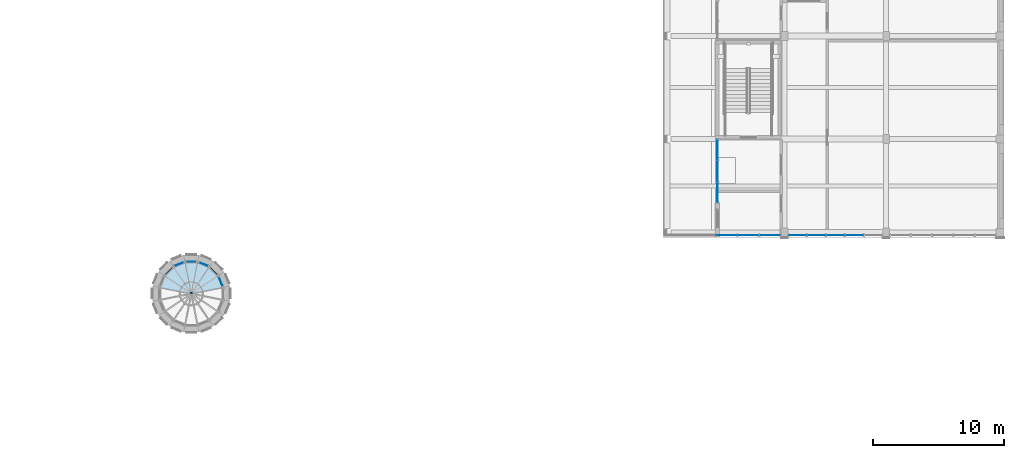
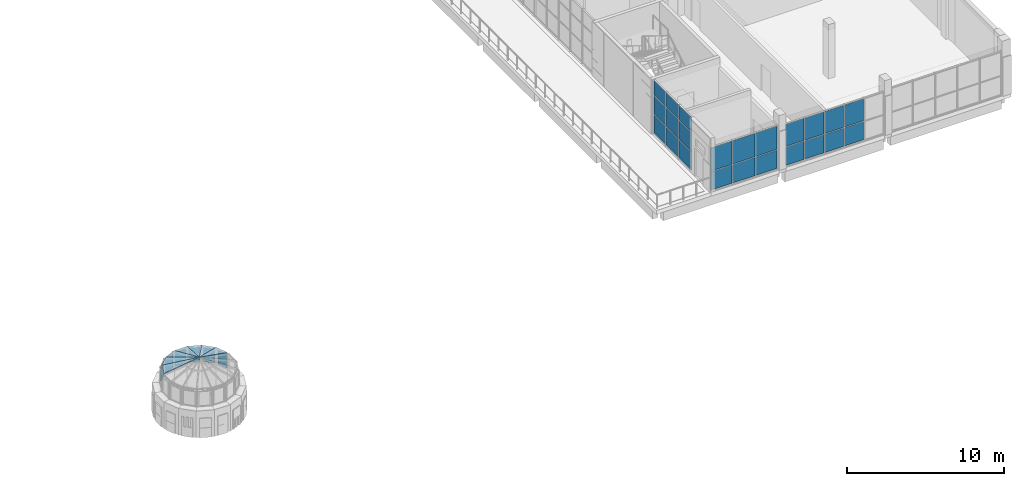
# One storey, part 20 of 36: 29 plates, 7 slabs, 9 elements without a shape of their own.
"""IFC4 building model written with IfcOpenShell, lengths in metres."""

from ifc_helpers import new_model, si_unit, direction, frame, origin, origin_2d, place, context, subcontext, project, spatial, polyline, rectangle, outline, extrude, material, layer, layer_set, type_object, element, aggregate, save


model = new_model("IFC4")

# Units and contexts
model_context = context("Model", 3, precision=1e-05, world=origin(), true_north=direction((0.0, 1.0)))
body_context = subcontext(model_context, "Body", "Model", "MODEL_VIEW")
ifc_project = project(units=[si_unit("LENGTHUNIT", "METRE"), si_unit("AREAUNIT", "SQUARE_METRE"), si_unit("VOLUMEUNIT", "CUBIC_METRE"), si_unit("PLANEANGLEUNIT", "RADIAN"), si_unit("MASSUNIT", "GRAM", prefix="KILO")], contexts=[model_context])

# Site, building, storey
site_placement = place(None, origin())
site = spatial("IfcSite", under=ifc_project, at=site_placement, CompositionType="ELEMENT")
building_placement = place(site_placement, origin())
building = spatial("IfcBuilding", under=site, at=building_placement, Name="Sun Court Science Centre", CompositionType="ELEMENT")
storey_placement = place(building_placement, frame((0.0, 0.0, 24.75)))
storey = spatial("IfcBuildingStorey", under=building, at=storey_placement, Name="L05", CompositionType="ELEMENT", Elevation=24.75)

# Curtain wall, plate
ifc_material_1 = material(Name="Aluminium EN AW-6063 T6", Category="aluminium")
curtain_wall_type_1 = type_object("IfcCurtainWallType", Name="Lantern clerestory curtain wall 1500", PredefinedType="NOTDEFINED", material=ifc_material_1)
curtain_wall_1_placement = place(storey_placement, origin())
curtain_wall_1 = element("IfcCurtainWall", 1, at=curtain_wall_1_placement, inside=storey, type_object=curtain_wall_type_1, Name="Curtain wall V2 C4 clerestory L05 01", PredefinedType="NOTDEFINED")
ifc_material_2 = material(Name="Insulated glass", Category="glass")
ifc_layer_1 = layer(ifc_material_2, 0.031982421875)
ifc_layer_set_1 = layer_set([ifc_layer_1], Name="Insulated glass")
plate_type_1 = type_object("IfcPlateType", Name="Foyer insulated glazing panel 8-16-8", PredefinedType="CURTAIN_PANEL", material=ifc_layer_set_1)
plate_1_placement = place(storey_placement, frame((44.24560546875, 25.130126953125, 1.800048828125), z_axis=(0.0, 0.0, 1.0), x_axis=(0.382683432365, -0.923879532511, 0.0)))
plate_1 = element("IfcPlate", 2, at=plate_1_placement, type_object=plate_type_1, Name="Smoke vent opening light CW4-49 panel 1", PredefinedType="CURTAIN_PANEL", context=body_context, shape_type="SweptSolid", body=[
    extrude(rectangle(XDim=0.752685546875, YDim=0.031982421875, at=origin_2d()), origin(), (0.0, 0.0, 1.0), 1.10009765625),
])
aggregate(curtain_wall_1, [plate_1])

curtain_wall_2_placement = place(storey_placement, origin())
curtain_wall_2 = element("IfcCurtainWall", 3, at=curtain_wall_2_placement, inside=storey, type_object=curtain_wall_type_1, Name="Curtain wall V2 C4 clerestory L05 02", PredefinedType="NOTDEFINED")
plate_2_placement = place(storey_placement, frame((43.71875, 25.918701171875, 1.800048828125), z_axis=(0.0, 0.0, 1.0), x_axis=(0.707106781187, -0.707106781187, 0.0)))
plate_2 = element("IfcPlate", 4, at=plate_2_placement, type_object=plate_type_1, Name="CW4-50 panel 1.1", PredefinedType="CURTAIN_PANEL", context=body_context, shape_type="SweptSolid", body=[
    extrude(rectangle(XDim=0.752685546875, YDim=0.031982421875, at=origin_2d()), origin(), (0.0, 0.0, 1.0), 1.10009765625),
])
aggregate(curtain_wall_2, [plate_2])

curtain_wall_3_placement = place(storey_placement, origin())
curtain_wall_3 = element("IfcCurtainWall", 5, at=curtain_wall_3_placement, inside=storey, type_object=curtain_wall_type_1, Name="Curtain wall V2 C4 clerestory L05 03", PredefinedType="NOTDEFINED")
plate_3_placement = place(storey_placement, frame((42.93017578125, 26.445556640625, 1.800048828125), z_axis=(0.0, 0.0, 1.0), x_axis=(0.923879532511, -0.382683432365, 0.0)))
plate_3 = element("IfcPlate", 6, at=plate_3_placement, type_object=plate_type_1, Name="Smoke vent opening light CW4-51 panel 1", PredefinedType="CURTAIN_PANEL", context=body_context, shape_type="SweptSolid", body=[
    extrude(rectangle(XDim=0.752685546875, YDim=0.031982421875, at=origin_2d()), origin(), (0.0, 0.0, 1.0), 1.10009765625),
])
aggregate(curtain_wall_3, [plate_3])

curtain_wall_4_placement = place(storey_placement, origin())
curtain_wall_4 = element("IfcCurtainWall", 7, at=curtain_wall_4_placement, inside=storey, type_object=curtain_wall_type_1, Name="Curtain wall V2 C4 clerestory L05 04", PredefinedType="NOTDEFINED")
plate_4_placement = place(storey_placement, frame((42.0, 26.630615234375, 1.800048828125), z_axis=(0.0, 0.0, 1.0), x_axis=(1.0, 0.0, 0.0)))
plate_4 = element("IfcPlate", 8, at=plate_4_placement, type_object=plate_type_1, Name="CW4-52 panel 1.1", PredefinedType="CURTAIN_PANEL", context=body_context, shape_type="SweptSolid", body=[
    extrude(rectangle(XDim=0.752685546875, YDim=0.031982421875, at=origin_2d()), origin(), (0.0, 0.0, 1.0), 1.10009765625),
])
aggregate(curtain_wall_4, [plate_4])

curtain_wall_5_placement = place(storey_placement, origin())
curtain_wall_5 = element("IfcCurtainWall", 9, at=curtain_wall_5_placement, inside=storey, type_object=curtain_wall_type_1, Name="Curtain wall V2 C4 clerestory L05 05", PredefinedType="NOTDEFINED")
plate_5_placement = place(storey_placement, frame((41.06982421875, 26.445556640625, 1.800048828125), z_axis=(0.0, 0.0, 1.0), x_axis=(0.923879532511, 0.382683432365, 0.0)))
plate_5 = element("IfcPlate", 10, at=plate_5_placement, type_object=plate_type_1, Name="Smoke vent opening light CW4-53 panel 1", PredefinedType="CURTAIN_PANEL", context=body_context, shape_type="SweptSolid", body=[
    extrude(rectangle(XDim=0.752685546875, YDim=0.031982421875, at=origin_2d()), origin(), (0.0, 0.0, 1.0), 1.10009765625),
])
aggregate(curtain_wall_5, [plate_5])

curtain_wall_6_placement = place(storey_placement, origin())
curtain_wall_6 = element("IfcCurtainWall", 11, at=curtain_wall_6_placement, inside=storey, type_object=curtain_wall_type_1, Name="Curtain wall V2 C4 clerestory L05 06", PredefinedType="NOTDEFINED")
plate_6_placement = place(storey_placement, frame((40.28125, 25.918701171875, 1.800048828125), z_axis=(0.0, 0.0, 1.0), x_axis=(0.707106781187, 0.707106781187, 0.0)))
plate_6 = element("IfcPlate", 12, at=plate_6_placement, type_object=plate_type_1, Name="CW4-54 panel 1.1", PredefinedType="CURTAIN_PANEL", context=body_context, shape_type="SweptSolid", body=[
    extrude(rectangle(XDim=0.752685546875, YDim=0.031982421875, at=origin_2d()), origin(), (0.0, 0.0, 1.0), 1.10009765625),
])
aggregate(curtain_wall_6, [plate_6])

# Slabs
ifc_material_3 = material(Name="Toughened safety glass", Category="glass")
ifc_layer_2 = layer(ifc_material_3, 0.06005859375)
ifc_layer_set_2 = layer_set([ifc_layer_2], Name="Toughened safety glass")
slab_type = type_object("IfcSlabType", Name="Glazed lantern panel 60", PredefinedType="ROOF", material=ifc_layer_set_2)
slab_1_placement = place(storey_placement, frame((44.34228515625, 24.666015625, 3.109619140625), z_axis=(0.277819605605, 0.115035911567, 0.95372061202), x_axis=(-0.38256779302, 0.923927423418, 0.0)))
element("IfcSlab", 13, at=slab_1_placement, inside=storey, type_object=slab_type, Name="Smoke vent opening light cone 4 panel 01", PredefinedType="ROOF", context=body_context, shape_type="SweptSolid", body=[
    extrude(outline(polyline([(0.0, 0.0), (0.9317180353469322, 0.0), (0.46547313352864395, 2.4560680654689984), (0.0, 0.0)])), origin(), (0.0, 0.0, -1.0), 0.06005859375),
])
slab_2_placement = place(storey_placement, frame((43.98583984375, 25.52685546875, 3.109619140625), z_axis=(0.212617853648, 0.212617853648, 0.953722861538), x_axis=(-0.707106781187, 0.707106781187, 0.0)))
element("IfcSlab", 14, at=slab_2_placement, inside=storey, type_object=slab_type, Name="Lantern glazing cone 4 panel 02", PredefinedType="ROOF", context=body_context, shape_type="SweptSolid", body=[
    extrude(outline(polyline([(0.0, 0.0), (0.9318755871203573, 0.0), (0.4659377935601787, 2.4561263451256825), (0.0, 0.0)])), origin(), (0.0, 0.0, -1.0), 0.06005859375),
])
slab_3_placement = place(storey_placement, frame((43.326904296875, 26.185791015625, 3.109619140625), z_axis=(0.115010154991, 0.277836175791, 0.953718891325), x_axis=(-0.923965760113, 0.382475194149, 0.0)))
element("IfcSlab", 15, at=slab_3_placement, inside=storey, type_object=slab_type, Name="Smoke vent opening light cone 4 panel 03", PredefinedType="ROOF", context=body_context, shape_type="SweptSolid", body=[
    extrude(outline(polyline([(0.0, 0.0), (0.9319436082458787, 5.551115123125783e-17), (0.46647965747120135, 2.456023489271575), (0.0, 0.0)])), origin(), (0.0, 0.0, -1.0), 0.06005859375),
])
slab_4_placement = place(storey_placement, frame((42.4658203125, 26.542236328125, 3.109619140625), z_axis=(0.0, 0.300707917065, 0.953716283081), x_axis=(-1.0, 0.0, 0.0)))
element("IfcSlab", 16, at=slab_4_placement, inside=storey, type_object=slab_type, Name="Lantern glazing cone 4 panel 04", PredefinedType="ROOF", context=body_context, shape_type="SweptSolid", body=[
    extrude(outline(polyline([(0.0, 0.0), (0.931640625, 0.0), (0.4658203125, 2.4559559250497345), (0.0, 0.0)])), origin(), (0.0, 0.0, -1.0), 0.06005859375),
])
slab_5_placement = place(storey_placement, frame((41.5341796875, 26.542236328125, 3.109619140625), z_axis=(-0.115010154991, 0.277836175791, 0.953718891325), x_axis=(-0.923965760113, -0.382475194149, 0.0)))
element("IfcSlab", 17, at=slab_5_placement, inside=storey, type_object=slab_type, Name="Smoke vent opening light cone 4 panel 05", PredefinedType="ROOF", context=body_context, shape_type="SweptSolid", body=[
    extrude(outline(polyline([(0.0, 0.0), (0.9319436082458787, -5.551115123125783e-17), (0.4654639507746774, 2.456023489271575), (0.0, 0.0)])), origin(), (0.0, 0.0, -1.0), 0.06005859375),
])
slab_6_placement = place(storey_placement, frame((40.673095703125, 26.185791015625, 3.109619140625), z_axis=(-0.212617853648, 0.212617853648, 0.953722861538), x_axis=(-0.707106781187, -0.707106781187, 0.0)))
element("IfcSlab", 18, at=slab_6_placement, inside=storey, type_object=slab_type, Name="Lantern glazing cone 4 panel 06", PredefinedType="ROOF", context=body_context, shape_type="SweptSolid", body=[
    extrude(outline(polyline([(0.0, 0.0), (0.9318755871203573, 0.0), (0.4659377935601787, 2.4561263451256825), (0.0, 0.0)])), origin(), (0.0, 0.0, -1.0), 0.06005859375),
])
slab_7_placement = place(storey_placement, frame((40.01416015625, 25.52685546875, 3.109619140625), z_axis=(-0.277819605605, 0.115035911567, 0.95372061202), x_axis=(-0.38256779302, -0.923927423418, 0.0)))
element("IfcSlab", 19, at=slab_7_placement, inside=storey, type_object=slab_type, Name="Smoke vent opening light cone 4 panel 07", PredefinedType="ROOF", context=body_context, shape_type="SweptSolid", body=[
    extrude(outline(polyline([(0.0, 0.0), (0.9317180353469322, 0.0), (0.46624490181828815, 2.4560680654689984), (0.0, 0.0)])), origin(), (0.0, 0.0, -1.0), 0.06005859375),
])

# Curtain wall, plates
ifc_material_4 = material(Name="Aluminium EN AW-6063 T6", Category="aluminium")
curtain_wall_type_2 = type_object("IfcCurtainWallType", Name="Laboratory tall bay curtain wall 1500", PredefinedType="NOTDEFINED", material=ifc_material_4)
curtain_wall_7_placement = place(storey_placement, origin())
curtain_wall_7 = element("IfcCurtainWall", 20, at=curtain_wall_7_placement, inside=storey, type_object=curtain_wall_type_2, Name="Curtain wall V4 W5 L05 01", PredefinedType="NOTDEFINED")
ifc_material_5 = material(Name="Solar-control glass", Category="glass")
ifc_layer_3 = layer(ifc_material_5, 0.028076171875)
ifc_layer_set_3 = layer_set([ifc_layer_3], Name="Solar-control glass")
plate_type_2 = type_object("IfcPlateType", Name="Solar-control glazing panel 8-12-8", PredefinedType="CURTAIN_PANEL", material=ifc_layer_set_3)
plate_7_placement = place(storey_placement, frame((82.14990234375, 31.931640625, 0.06005859375), z_axis=(0.0, 0.0, 1.0), x_axis=(0.0, 1.0, 0.0)))
plate_7 = element("IfcPlate", 21, at=plate_7_placement, type_object=plate_type_2, Name="CW2-44 panel 1.1", PredefinedType="CURTAIN_PANEL", context=body_context, shape_type="SweptSolid", body=[
    extrude(rectangle(XDim=1.543212890625, YDim=0.028076171875, at=origin_2d()), origin(), (0.0, 0.0, 1.0), 1.409912109375),
])
plate_8_placement = place(storey_placement, frame((82.14990234375, 33.550048828125, 0.06005859375), z_axis=(0.0, 0.0, 1.0), x_axis=(0.0, 1.0, 0.0)))
plate_8 = element("IfcPlate", 22, at=plate_8_placement, type_object=plate_type_2, Name="CW2-44 panel 2.1", PredefinedType="CURTAIN_PANEL", context=body_context, shape_type="SweptSolid", body=[
    extrude(rectangle(XDim=1.5732421875, YDim=0.028076171875, at=origin_2d()), origin(), (0.0, 0.0, 1.0), 1.409912109375),
])
plate_9_placement = place(storey_placement, frame((82.14990234375, 35.168212890625, 0.06005859375), z_axis=(0.0, 0.0, 1.0), x_axis=(0.0, 1.0, 0.0)))
plate_9 = element("IfcPlate", 23, at=plate_9_placement, type_object=plate_type_2, Name="CW2-44 panel 3.1", PredefinedType="CURTAIN_PANEL", context=body_context, shape_type="SweptSolid", body=[
    extrude(rectangle(XDim=1.543212890625, YDim=0.028076171875, at=origin_2d()), origin(), (0.0, 0.0, 1.0), 1.409912109375),
])
plate_10_placement = place(storey_placement, frame((82.14990234375, 31.931640625, 1.530029296875), z_axis=(0.0, 0.0, 1.0), x_axis=(0.0, 1.0, 0.0)))
plate_10 = element("IfcPlate", 24, at=plate_10_placement, type_object=plate_type_2, Name="CW2-44 panel 1.2", PredefinedType="CURTAIN_PANEL", context=body_context, shape_type="SweptSolid", body=[
    extrude(rectangle(XDim=1.543212890625, YDim=0.028076171875, at=origin_2d()), origin(), (0.0, 0.0, 1.0), 1.43994140625),
])
plate_11_placement = place(storey_placement, frame((82.14990234375, 33.550048828125, 1.530029296875), z_axis=(0.0, 0.0, 1.0), x_axis=(0.0, 1.0, 0.0)))
plate_11 = element("IfcPlate", 25, at=plate_11_placement, type_object=plate_type_2, Name="CW2-44 panel 2.2", PredefinedType="CURTAIN_PANEL", context=body_context, shape_type="SweptSolid", body=[
    extrude(rectangle(XDim=1.5732421875, YDim=0.028076171875, at=origin_2d()), origin(), (0.0, 0.0, 1.0), 1.43994140625),
])
plate_12_placement = place(storey_placement, frame((82.14990234375, 35.168212890625, 1.530029296875), z_axis=(0.0, 0.0, 1.0), x_axis=(0.0, 1.0, 0.0)))
plate_12 = element("IfcPlate", 26, at=plate_12_placement, type_object=plate_type_2, Name="CW2-44 panel 3.2", PredefinedType="CURTAIN_PANEL", context=body_context, shape_type="SweptSolid", body=[
    extrude(rectangle(XDim=1.543212890625, YDim=0.028076171875, at=origin_2d()), origin(), (0.0, 0.0, 1.0), 1.43994140625),
])
plate_13_placement = place(storey_placement, frame((82.14990234375, 31.931640625, 3.02978515625), z_axis=(0.0, 0.0, 1.0), x_axis=(0.0, 1.0, 0.0)))
plate_13 = element("IfcPlate", 27, at=plate_13_placement, type_object=plate_type_2, Name="CW2-44 panel 1.3", PredefinedType="CURTAIN_PANEL", context=body_context, shape_type="SweptSolid", body=[
    extrude(rectangle(XDim=1.543212890625, YDim=0.028076171875, at=origin_2d()), origin(), (0.0, 0.0, 1.0), 1.110107421875),
])
plate_14_placement = place(storey_placement, frame((82.14990234375, 33.550048828125, 3.02978515625), z_axis=(0.0, 0.0, 1.0), x_axis=(0.0, 1.0, 0.0)))
plate_14 = element("IfcPlate", 28, at=plate_14_placement, type_object=plate_type_2, Name="CW2-44 panel 2.3", PredefinedType="CURTAIN_PANEL", context=body_context, shape_type="SweptSolid", body=[
    extrude(rectangle(XDim=1.5732421875, YDim=0.028076171875, at=origin_2d()), origin(), (0.0, 0.0, 1.0), 1.110107421875),
])
plate_15_placement = place(storey_placement, frame((82.14990234375, 35.168212890625, 3.02978515625), z_axis=(0.0, 0.0, 1.0), x_axis=(0.0, 1.0, 0.0)))
plate_15 = element("IfcPlate", 29, at=plate_15_placement, type_object=plate_type_2, Name="CW2-44 panel 3.3", PredefinedType="CURTAIN_PANEL", context=body_context, shape_type="SweptSolid", body=[
    extrude(rectangle(XDim=1.543212890625, YDim=0.028076171875, at=origin_2d()), origin(), (0.0, 0.0, 1.0), 1.110107421875),
])
aggregate(curtain_wall_7, [plate_7, plate_8, plate_9, plate_10, plate_11, plate_12, plate_13, plate_14, plate_15])

curtain_wall_8_placement = place(storey_placement, origin())
curtain_wall_8 = element("IfcCurtainWall", 30, at=curtain_wall_8_placement, inside=storey, type_object=curtain_wall_type_2, Name="Curtain wall V4 S4 L05 02", PredefinedType="NOTDEFINED")
plate_16_placement = place(storey_placement, frame((88.239990234375, 28.64990234375, 0.06005859375), z_axis=(0.0, 0.0, 1.0), x_axis=(-1.0, 0.0, 0.0)))
plate_16 = element("IfcPlate", 31, at=plate_16_placement, type_object=plate_type_2, Name="CW2-59 panel 5.1", PredefinedType="CURTAIN_PANEL", context=body_context, shape_type="SweptSolid", body=[
    extrude(rectangle(XDim=1.360107421875, YDim=0.028076171875, at=origin_2d()), origin(), (0.0, 0.0, 1.0), 1.409912109375),
])
plate_17_placement = place(storey_placement, frame((89.675048828125, 28.64990234375, 0.06005859375), z_axis=(0.0, 0.0, 1.0), x_axis=(-1.0, 0.0, 0.0)))
plate_17 = element("IfcPlate", 32, at=plate_17_placement, type_object=plate_type_2, Name="CW2-59 panel 4.1", PredefinedType="CURTAIN_PANEL", context=body_context, shape_type="SweptSolid", body=[
    extrude(rectangle(XDim=1.389892578125, YDim=0.028076171875, at=origin_2d()), origin(), (0.0, 0.0, 1.0), 1.409912109375),
])
plate_18_placement = place(storey_placement, frame((91.125, 28.64990234375, 0.06005859375), z_axis=(0.0, 0.0, 1.0), x_axis=(-1.0, 0.0, 0.0)))
plate_18 = element("IfcPlate", 33, at=plate_18_placement, type_object=plate_type_2, Name="CW2-59 panel 3.1", PredefinedType="CURTAIN_PANEL", context=body_context, shape_type="SweptSolid", body=[
    extrude(rectangle(XDim=1.389892578125, YDim=0.028076171875, at=origin_2d()), origin(), (0.0, 0.0, 1.0), 1.409912109375),
])
plate_19_placement = place(storey_placement, frame((92.574951171875, 28.64990234375, 0.06005859375), z_axis=(0.0, 0.0, 1.0), x_axis=(-1.0, 0.0, 0.0)))
plate_19 = element("IfcPlate", 34, at=plate_19_placement, type_object=plate_type_2, Name="CW2-59 panel 2.1", PredefinedType="CURTAIN_PANEL", context=body_context, shape_type="SweptSolid", body=[
    extrude(rectangle(XDim=1.389892578125, YDim=0.028076171875, at=origin_2d()), origin(), (0.0, 0.0, 1.0), 1.409912109375),
])
plate_20_placement = place(storey_placement, frame((88.239990234375, 28.64990234375, 1.530029296875), z_axis=(0.0, 0.0, 1.0), x_axis=(-1.0, 0.0, 0.0)))
plate_20 = element("IfcPlate", 35, at=plate_20_placement, type_object=plate_type_2, Name="CW2-59 panel 5.2", PredefinedType="CURTAIN_PANEL", context=body_context, shape_type="SweptSolid", body=[
    extrude(rectangle(XDim=1.360107421875, YDim=0.028076171875, at=origin_2d()), origin(), (0.0, 0.0, 1.0), 1.7099609375),
])
plate_21_placement = place(storey_placement, frame((89.675048828125, 28.64990234375, 1.530029296875), z_axis=(0.0, 0.0, 1.0), x_axis=(-1.0, 0.0, 0.0)))
plate_21 = element("IfcPlate", 36, at=plate_21_placement, type_object=plate_type_2, Name="CW2-59 panel 4.2", PredefinedType="CURTAIN_PANEL", context=body_context, shape_type="SweptSolid", body=[
    extrude(rectangle(XDim=1.389892578125, YDim=0.028076171875, at=origin_2d()), origin(), (0.0, 0.0, 1.0), 1.7099609375),
])
plate_22_placement = place(storey_placement, frame((91.125, 28.64990234375, 1.530029296875), z_axis=(0.0, 0.0, 1.0), x_axis=(-1.0, 0.0, 0.0)))
plate_22 = element("IfcPlate", 37, at=plate_22_placement, type_object=plate_type_2, Name="CW2-59 panel 3.2", PredefinedType="CURTAIN_PANEL", context=body_context, shape_type="SweptSolid", body=[
    extrude(rectangle(XDim=1.389892578125, YDim=0.028076171875, at=origin_2d()), origin(), (0.0, 0.0, 1.0), 1.7099609375),
])
plate_23_placement = place(storey_placement, frame((92.574951171875, 28.64990234375, 1.530029296875), z_axis=(0.0, 0.0, 1.0), x_axis=(-1.0, 0.0, 0.0)))
plate_23 = element("IfcPlate", 38, at=plate_23_placement, type_object=plate_type_2, Name="CW2-59 panel 2.2", PredefinedType="CURTAIN_PANEL", context=body_context, shape_type="SweptSolid", body=[
    extrude(rectangle(XDim=1.389892578125, YDim=0.028076171875, at=origin_2d()), origin(), (0.0, 0.0, 1.0), 1.7099609375),
])
aggregate(curtain_wall_8, [plate_16, plate_17, plate_18, plate_19, plate_20, plate_21, plate_22, plate_23])

curtain_wall_9_placement = place(storey_placement, origin())
curtain_wall_9 = element("IfcCurtainWall", 39, at=curtain_wall_9_placement, inside=storey, type_object=curtain_wall_type_2, Name="Curtain wall V4 S4 L05 03", PredefinedType="NOTDEFINED")
plate_24_placement = place(storey_placement, frame((82.848388671875, 28.64990234375, 0.06005859375), z_axis=(0.0, 0.0, 1.0), x_axis=(-1.0, 0.0, 0.0)))
plate_24 = element("IfcPlate", 40, at=plate_24_placement, type_object=plate_type_2, Name="CW2-60 panel 3.1", PredefinedType="CURTAIN_PANEL", context=body_context, shape_type="SweptSolid", body=[
    extrude(rectangle(XDim=1.57666015625, YDim=0.028076171875, at=origin_2d()), origin(), (0.0, 0.0, 1.0), 1.409912109375),
])
plate_25_placement = place(storey_placement, frame((84.5, 28.64990234375, 0.06005859375), z_axis=(0.0, 0.0, 1.0), x_axis=(-1.0, 0.0, 0.0)))
plate_25 = element("IfcPlate", 41, at=plate_25_placement, type_object=plate_type_2, Name="CW2-60 panel 2.1", PredefinedType="CURTAIN_PANEL", context=body_context, shape_type="SweptSolid", body=[
    extrude(rectangle(XDim=1.606689453125, YDim=0.028076171875, at=origin_2d()), origin(), (0.0, 0.0, 1.0), 1.409912109375),
])
plate_26_placement = place(storey_placement, frame((86.151611328125, 28.64990234375, 0.06005859375), z_axis=(0.0, 0.0, 1.0), x_axis=(-1.0, 0.0, 0.0)))
plate_26 = element("IfcPlate", 42, at=plate_26_placement, type_object=plate_type_2, Name="CW2-60 panel 1.1", PredefinedType="CURTAIN_PANEL", context=body_context, shape_type="SweptSolid", body=[
    extrude(rectangle(XDim=1.57666015625, YDim=0.028076171875, at=origin_2d()), origin(), (0.0, 0.0, 1.0), 1.409912109375),
])
plate_27_placement = place(storey_placement, frame((82.848388671875, 28.64990234375, 1.530029296875), z_axis=(0.0, 0.0, 1.0), x_axis=(-1.0, 0.0, 0.0)))
plate_27 = element("IfcPlate", 43, at=plate_27_placement, type_object=plate_type_2, Name="CW2-60 panel 3.2", PredefinedType="CURTAIN_PANEL", context=body_context, shape_type="SweptSolid", body=[
    extrude(rectangle(XDim=1.57666015625, YDim=0.028076171875, at=origin_2d()), origin(), (0.0, 0.0, 1.0), 1.81005859375),
])
plate_28_placement = place(storey_placement, frame((84.5, 28.64990234375, 1.530029296875), z_axis=(0.0, 0.0, 1.0), x_axis=(-1.0, 0.0, 0.0)))
plate_28 = element("IfcPlate", 44, at=plate_28_placement, type_object=plate_type_2, Name="CW2-60 panel 2.2", PredefinedType="CURTAIN_PANEL", context=body_context, shape_type="SweptSolid", body=[
    extrude(rectangle(XDim=1.606689453125, YDim=0.028076171875, at=origin_2d()), origin(), (0.0, 0.0, 1.0), 1.81005859375),
])
plate_29_placement = place(storey_placement, frame((86.151611328125, 28.64990234375, 1.530029296875), z_axis=(0.0, 0.0, 1.0), x_axis=(-1.0, 0.0, 0.0)))
plate_29 = element("IfcPlate", 45, at=plate_29_placement, type_object=plate_type_2, Name="CW2-60 panel 1.2", PredefinedType="CURTAIN_PANEL", context=body_context, shape_type="SweptSolid", body=[
    extrude(rectangle(XDim=1.57666015625, YDim=0.028076171875, at=origin_2d()), origin(), (0.0, 0.0, 1.0), 1.81005859375),
])
aggregate(curtain_wall_9, [plate_24, plate_25, plate_26, plate_27, plate_28, plate_29])

save(model, "model.ifc")
